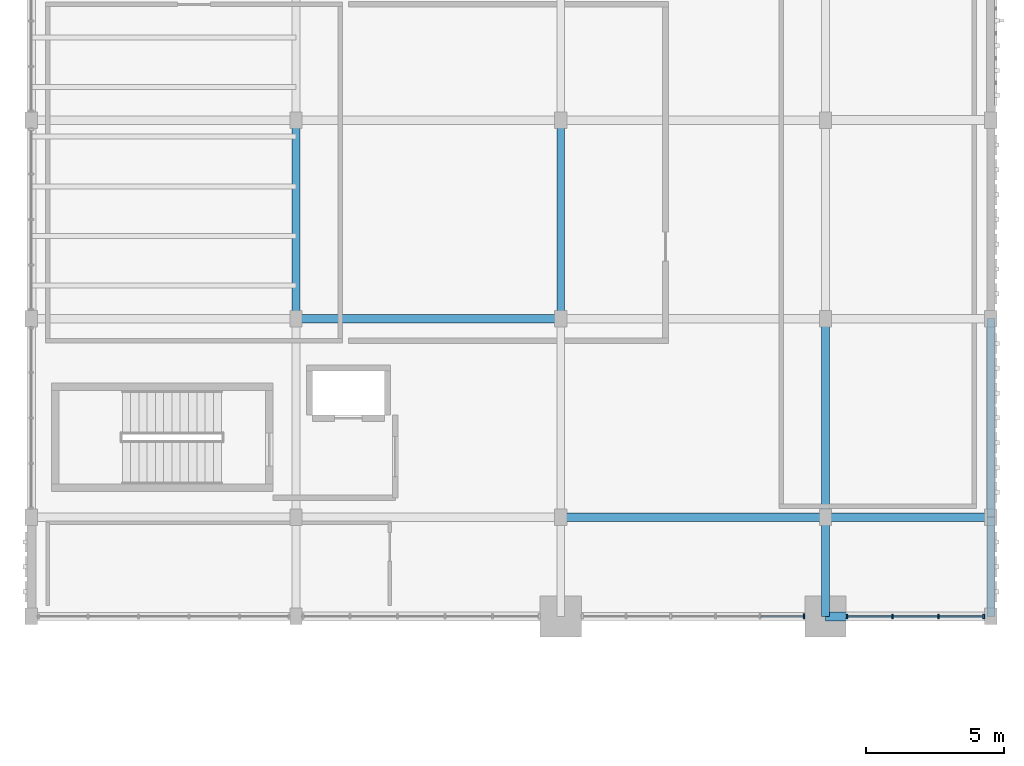
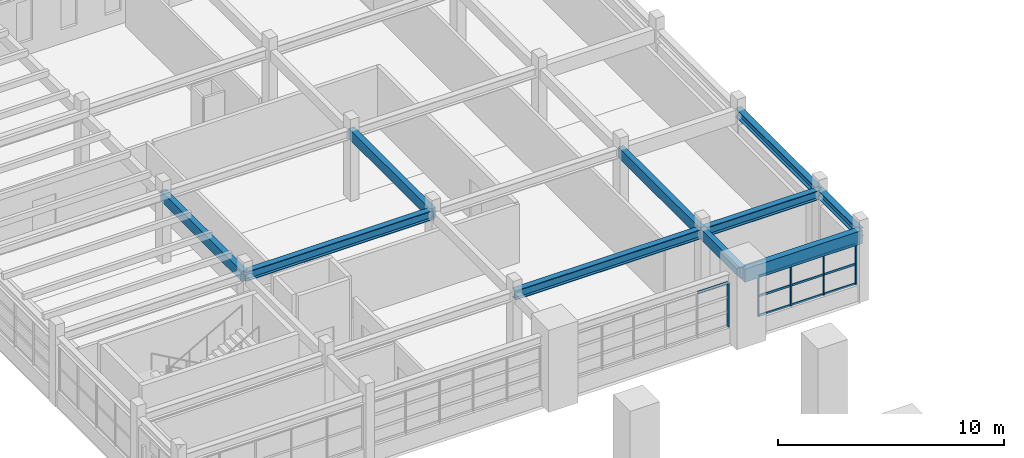
# One storey, part 30 of 69: 15 members, 10 beams, 2 elements without a shape of their own.
"""IFC4 building model written with IfcOpenShell, lengths in metres."""

from ifc_helpers import new_model, si_unit, direction, frame, origin, origin_2d, place, context, subcontext, project, spatial, rectangle, i_section, extrude, material, material_profile, profile_set, type_object, element, aggregate, save


model = new_model("IFC4")

# Units and contexts
model_context = context("Model", 3, precision=1e-05, world=origin(), true_north=direction((0.0, 1.0)))
body_context = subcontext(model_context, "Body", "Model", "MODEL_VIEW")
ifc_project = project(units=[si_unit("LENGTHUNIT", "METRE"), si_unit("AREAUNIT", "SQUARE_METRE"), si_unit("VOLUMEUNIT", "CUBIC_METRE"), si_unit("PLANEANGLEUNIT", "RADIAN"), si_unit("MASSUNIT", "GRAM", prefix="KILO")], contexts=[model_context])

# Site, building, storey
site_placement = place(None, origin())
site = spatial("IfcSite", under=ifc_project, at=site_placement, CompositionType="ELEMENT")
building_placement = place(site_placement, origin())
building = spatial("IfcBuilding", under=site, at=building_placement, Name="Nzembalo Square Collegiate School", CompositionType="ELEMENT")
storey_placement = place(building_placement, frame((0.0, 0.0, 5.10009765625)))
storey = spatial("IfcBuildingStorey", under=building, at=storey_placement, Name="L01", CompositionType="ELEMENT", Elevation=5.10009765625)

# Beams
ifc_material_1 = material(Name="Glulam GL32h", Category="wood")
ifc_material_profile_1 = material_profile(ifc_material_1, rectangle(XDim=0.320068359375, YDim=0.719970703125, at=origin_2d()), Name="GL32h 320x720")
ifc_profile_set_1 = profile_set([ifc_material_profile_1], Name="Glulam GL32h")
beam_type_1 = type_object("IfcBeamType", Name="B03", PredefinedType="BEAM", material=ifc_profile_set_1)
beam_1_placement = place(storey_placement, frame((159.60009765625, 79.199951171875, 3.389892578125), z_axis=(1.0, 0.0, 0.0), x_axis=(0.0, 1.0, 0.0)))
element("IfcBeam", 1, at=beam_1_placement, inside=storey, type_object=beam_type_1, Name="Beam B03 L01", PredefinedType="BEAM", context=body_context, shape_type="SweptSolid", body=[
    extrude(rectangle(XDim=0.320068359375, YDim=0.719970703125, at=origin_2d()), origin(), (0.0, 0.0, 1.0), 6.0),
])
ifc_material_2 = material(Name="Glulam GL28h", Category="wood")
ifc_material_profile_2 = material_profile(ifc_material_2, rectangle(XDim=0.280029296875, YDim=0.56005859375, at=origin_2d()), Name="GL28h 280x560")
ifc_profile_set_2 = profile_set([ifc_material_profile_2], Name="Glulam GL28h")
beam_type_2 = type_object("IfcBeamType", Name="B05", PredefinedType="BEAM", material=ifc_profile_set_2)
for number, where, z_axis, x_axis, name in (
    (2, (140.39990234375, 90.0, 3.469970703125), (0.0, 1.0, 0.0), (-1.0, 0.0, 0.0), "Beam B05 L01"),
    (3, (150.0, 90.0, 3.469970703125), (0.0, 1.0, 0.0), (-1.0, 0.0, 0.0), "Beam B05 L01"),
):
    element("IfcBeam", number, at=place(storey_placement, frame(where, z_axis=z_axis, x_axis=x_axis)), inside=storey, type_object=beam_type_2, Name=name, PredefinedType="BEAM", context=body_context, shape_type="SweptSolid", body=[
        extrude(rectangle(XDim=0.280029296875, YDim=0.56005859375, at=origin_2d()), origin(), (0.0, 0.0, 1.0), 7.199951171875),
    ])
beam_2_placement = place(storey_placement, frame((159.60009765625, 79.199951171875, 3.469970703125), z_axis=(0.0, 1.0, 0.0), x_axis=(-1.0, 0.0, 0.0)))
element("IfcBeam", 4, at=beam_2_placement, inside=storey, type_object=beam_type_2, Name="Beam B05 L01", PredefinedType="BEAM", context=body_context, shape_type="SweptSolid", body=[
    extrude(rectangle(XDim=0.280029296875, YDim=0.56005859375, at=origin_2d()), origin(), (0.0, 0.0, 1.0), 3.60009765625),
])
beam_3_placement = place(storey_placement, frame((159.60009765625, 82.800048828125, 3.469970703125), z_axis=(0.0, 1.0, 0.0), x_axis=(-1.0, 0.0, 0.0)))
element("IfcBeam", 5, at=beam_3_placement, inside=storey, type_object=beam_type_2, Name="Beam B05 L01", PredefinedType="BEAM", context=body_context, shape_type="SweptSolid", body=[
    extrude(rectangle(XDim=0.280029296875, YDim=0.56005859375, at=origin_2d()), origin(), (0.0, 0.0, 1.0), 7.199951171875),
])
ifc_material_3 = material(Name="Steel S355", Category="steel")
ifc_material_profile_3 = material_profile(ifc_material_3, i_section(OverallWidth=0.300048828125, OverallDepth=0.5, WebThickness=0.014404296875, FlangeThickness=0.028076171875, at=origin_2d()), Name="HEB 500")
ifc_profile_set_3 = profile_set([ifc_material_profile_3], Name="Steel S355")
beam_type_3 = type_object("IfcBeamType", Name="B07", PredefinedType="BEAM", material=ifc_profile_set_3)
beam_4_placement = place(storey_placement, frame((150.0, 82.800048828125, 3.5), z_axis=(1.0, 0.0, 0.0), x_axis=(0.0, 1.0, 0.0)))
element("IfcBeam", 6, at=beam_4_placement, inside=storey, type_object=beam_type_3, Name="Beam B07 L01", PredefinedType="BEAM", context=body_context, shape_type="SweptSolid", body=[
    extrude(i_section(OverallWidth=0.300048828125, OverallDepth=0.5, WebThickness=0.014404296875, FlangeThickness=0.028076171875, at=origin_2d()), origin(), (0.0, 0.0, 1.0), 9.60009765625),
])
beam_5_placement = place(storey_placement, frame((159.60009765625, 82.800048828125, 3.5), z_axis=(1.0, 0.0, 0.0), x_axis=(0.0, 1.0, 0.0)))
element("IfcBeam", 7, at=beam_5_placement, inside=storey, type_object=beam_type_3, Name="Beam B07 L01", PredefinedType="BEAM", context=body_context, shape_type="SweptSolid", body=[
    extrude(i_section(OverallWidth=0.300048828125, OverallDepth=0.5, WebThickness=0.014404296875, FlangeThickness=0.028076171875, at=origin_2d()), origin(), (0.0, 0.0, 1.0), 6.0),
])
beam_6_placement = place(storey_placement, frame((140.39990234375, 90.0, 3.5), z_axis=(1.0, 0.0, 0.0), x_axis=(0.0, 1.0, 0.0)))
element("IfcBeam", 8, at=beam_6_placement, inside=storey, type_object=beam_type_3, Name="Beam B07 L01", PredefinedType="BEAM", context=body_context, shape_type="SweptSolid", body=[
    extrude(i_section(OverallWidth=0.300048828125, OverallDepth=0.5, WebThickness=0.014404296875, FlangeThickness=0.028076171875, at=origin_2d()), origin(), (0.0, 0.0, 1.0), 9.60009765625),
])
ifc_material_4 = material(Name="Steel S355", Category="steel")
ifc_material_profile_4 = material_profile(ifc_material_4, i_section(OverallWidth=0.300048828125, OverallDepth=0.449951171875, WebThickness=0.013916015625, FlangeThickness=0.02587890625, at=origin_2d()), Name="HEB 450")
ifc_profile_set_4 = profile_set([ifc_material_profile_4], Name="Steel S355")
beam_type_4 = type_object("IfcBeamType", Name="B08", PredefinedType="BEAM", material=ifc_profile_set_4)
beam_7_placement = place(storey_placement, frame((165.60009765625, 79.199951171875, 3.52490234375), z_axis=(0.0, 1.0, 0.0), x_axis=(-1.0, 0.0, 0.0)))
element("IfcBeam", 9, at=beam_7_placement, inside=storey, type_object=beam_type_4, Name="Beam B08 L01", PredefinedType="BEAM", context=body_context, shape_type="SweptSolid", body=[
    extrude(i_section(OverallWidth=0.300048828125, OverallDepth=0.449951171875, WebThickness=0.013916015625, FlangeThickness=0.02587890625, at=origin_2d()), origin(), (0.0, 0.0, 1.0), 3.60009765625),
])
beam_8_placement = place(storey_placement, frame((165.60009765625, 82.800048828125, 3.52490234375), z_axis=(0.0, 1.0, 0.0), x_axis=(-1.0, 0.0, 0.0)))
element("IfcBeam", 10, at=beam_8_placement, inside=storey, type_object=beam_type_4, Name="Beam B08 L01", PredefinedType="BEAM", context=body_context, shape_type="SweptSolid", body=[
    extrude(i_section(OverallWidth=0.300048828125, OverallDepth=0.449951171875, WebThickness=0.013916015625, FlangeThickness=0.02587890625, at=origin_2d()), origin(), (0.0, 0.0, 1.0), 7.199951171875),
])

# Curtain wall, member
ifc_material_5 = material(Name="Aluminium 6060-T66", Category="aluminium")
curtain_wall_type_1 = type_object("IfcCurtainWallType", Name="CW-10", PredefinedType="USERDEFINED", material=ifc_material_5)
curtain_wall_1_placement = place(storey_placement, origin())
curtain_wall_1 = element("IfcCurtainWall", 11, at=curtain_wall_1_placement, inside=storey, type_object=curtain_wall_type_1, Name="Curtain wall CW-10 cw:L01:069", ObjectType="UNITISED", PredefinedType="USERDEFINED")
ifc_material_6 = material(Name="Aluminium 6060-T66", Category="aluminium")
ifc_material_profile_5 = material_profile(ifc_material_6, rectangle(XDim=0.06005859375, YDim=0.179931640625, at=origin_2d()), Name="ALU M60x180")
ifc_profile_set_5 = profile_set([ifc_material_profile_5], Name="Aluminium 6060-T66")
member_type_1 = type_object("IfcMemberType", Name="ML01", PredefinedType="MULLION", material=ifc_profile_set_5)
member_1_placement = place(storey_placement, frame((158.818115234375, 79.199951171875, 0.849853515625), z_axis=(0.0, 0.0, 1.0), x_axis=(1.0, 0.0, 0.0)))
member_1 = element("IfcMember", 12, at=member_1_placement, type_object=member_type_1, Name="ML01 mullion 6", PredefinedType="MULLION", context=body_context, shape_type="SweptSolid", body=[
    extrude(rectangle(XDim=0.06005859375, YDim=0.179931640625, at=origin_2d()), origin(), (0.0, 0.0, 1.0), 2.39404296875),
])

# Curtain wall, members
ifc_material_7 = material(Name="Aluminium 6060-T66", Category="aluminium")
curtain_wall_type_2 = type_object("IfcCurtainWallType", Name="CW-15", PredefinedType="USERDEFINED", material=ifc_material_7)
curtain_wall_2_placement = place(storey_placement, origin())
curtain_wall_2 = element("IfcCurtainWall", 13, at=curtain_wall_2_placement, inside=storey, type_object=curtain_wall_type_2, Name="Curtain wall CW-15 cw:L01:070", ObjectType="LANCET", PredefinedType="USERDEFINED")
ifc_material_8 = material(Name="Aluminium 6060-T66", Category="aluminium")
ifc_material_profile_6 = material_profile(ifc_material_8, rectangle(XDim=0.06005859375, YDim=0.14990234375, at=origin_2d()), Name="ALU M60x150")
ifc_profile_set_6 = profile_set([ifc_material_profile_6], Name="Aluminium 6060-T66")
member_type_2 = type_object("IfcMemberType", Name="ML02", PredefinedType="MULLION", material=ifc_profile_set_6)
member_2_placement = place(storey_placement, frame((160.382080078125, 79.199951171875, 0.849853515625), z_axis=(0.0, 0.0, 1.0), x_axis=(1.0, 0.0, 0.0)))
member_2 = element("IfcMember", 14, at=member_2_placement, type_object=member_type_2, Name="ML02 mullion 1", PredefinedType="MULLION", context=body_context, shape_type="SweptSolid", body=[
    extrude(rectangle(XDim=0.06005859375, YDim=0.14990234375, at=origin_2d()), origin(), (0.0, 0.0, 1.0), 2.174072265625),
])
member_3_placement = place(storey_placement, frame((162.025634765625, 79.199951171875, 0.849853515625), z_axis=(0.0, 0.0, 1.0), x_axis=(1.0, 0.0, 0.0)))
member_3 = element("IfcMember", 15, at=member_3_placement, type_object=member_type_2, Name="ML02 mullion 2", PredefinedType="MULLION", context=body_context, shape_type="SweptSolid", body=[
    extrude(rectangle(XDim=0.06005859375, YDim=0.14990234375, at=origin_2d()), origin(), (0.0, 0.0, 1.0), 2.174072265625),
])
member_4_placement = place(storey_placement, frame((163.69921875, 79.199951171875, 0.849853515625), z_axis=(0.0, 0.0, 1.0), x_axis=(1.0, 0.0, 0.0)))
member_4 = element("IfcMember", 16, at=member_4_placement, type_object=member_type_2, Name="ML02 mullion 3", PredefinedType="MULLION", context=body_context, shape_type="SweptSolid", body=[
    extrude(rectangle(XDim=0.06005859375, YDim=0.14990234375, at=origin_2d()), origin(), (0.0, 0.0, 1.0), 2.174072265625),
])
member_5_placement = place(storey_placement, frame((165.343017578125, 79.199951171875, 0.849853515625), z_axis=(0.0, 0.0, 1.0), x_axis=(1.0, 0.0, 0.0)))
member_5 = element("IfcMember", 17, at=member_5_placement, type_object=member_type_2, Name="ML02 mullion 4", PredefinedType="MULLION", context=body_context, shape_type="SweptSolid", body=[
    extrude(rectangle(XDim=0.06005859375, YDim=0.14990234375, at=origin_2d()), origin(), (0.0, 0.0, 1.0), 2.174072265625),
])

# Member
ifc_material_9 = material(Name="Aluminium 6060-T66", Category="aluminium")
ifc_material_profile_7 = material_profile(ifc_material_9, rectangle(XDim=0.06005859375, YDim=0.139892578125, at=origin_2d()), Name="ALU T60x140")
ifc_profile_set_7 = profile_set([ifc_material_profile_7], Name="Aluminium 6060-T66")
member_type_3 = type_object("IfcMemberType", Name="TR01", PredefinedType="USERDEFINED", material=ifc_profile_set_7)
member_6_placement = place(storey_placement, frame((157.2587890625, 79.199951171875, 3.2138671875), z_axis=(1.0, 0.0, 0.0), x_axis=(0.0, 1.0, 0.0)))
member_6 = element("IfcMember", 18, at=member_6_placement, type_object=member_type_3, Name="TR01 transom 4-5", ObjectType="TRANSOM", PredefinedType="USERDEFINED", context=body_context, shape_type="SweptSolid", body=[
    extrude(rectangle(XDim=0.06005859375, YDim=0.139892578125, at=origin_2d()), origin(), (0.0, 0.0, 1.0), 1.529296875),
])

aggregate(curtain_wall_1, [member_1, member_6])

ifc_material_10 = material(Name="Aluminium 6060-T66", Category="aluminium")
ifc_material_profile_8 = material_profile(ifc_material_10, rectangle(XDim=0.06005859375, YDim=0.110107421875, at=origin_2d()), Name="ALU T60x110")
ifc_profile_set_8 = profile_set([ifc_material_profile_8], Name="Aluminium 6060-T66")
member_type_4 = type_object("IfcMemberType", Name="TR02", PredefinedType="USERDEFINED", material=ifc_profile_set_8)
member_7_placement = place(storey_placement, frame((160.412109375, 79.199951171875, 0.8798828125), z_axis=(1.0, 0.0, 0.0), x_axis=(0.0, 1.0, 0.0)))
member_7 = element("IfcMember", 19, at=member_7_placement, type_object=member_type_4, Name="TR02 transom 1-1", ObjectType="TRANSOM", PredefinedType="USERDEFINED", context=body_context, shape_type="SweptSolid", body=[
    extrude(rectangle(XDim=0.06005859375, YDim=0.110107421875, at=origin_2d()), origin(), (0.0, 0.0, 1.0), 1.58349609375),
])

member_8_placement = place(storey_placement, frame((162.0556640625, 79.199951171875, 0.8798828125), z_axis=(1.0, 0.0, 0.0), x_axis=(0.0, 1.0, 0.0)))
member_8 = element("IfcMember", 20, at=member_8_placement, type_object=member_type_4, Name="TR02 transom 1-2", ObjectType="TRANSOM", PredefinedType="USERDEFINED", context=body_context, shape_type="SweptSolid", body=[
    extrude(rectangle(XDim=0.06005859375, YDim=0.110107421875, at=origin_2d()), origin(), (0.0, 0.0, 1.0), 1.61376953125),
])

member_9_placement = place(storey_placement, frame((163.729248046875, 79.199951171875, 0.8798828125), z_axis=(1.0, 0.0, 0.0), x_axis=(0.0, 1.0, 0.0)))
member_9 = element("IfcMember", 21, at=member_9_placement, type_object=member_type_4, Name="TR02 transom 1-3", ObjectType="TRANSOM", PredefinedType="USERDEFINED", context=body_context, shape_type="SweptSolid", body=[
    extrude(rectangle(XDim=0.06005859375, YDim=0.110107421875, at=origin_2d()), origin(), (0.0, 0.0, 1.0), 1.583740234375),
])

member_10_placement = place(storey_placement, frame((160.412109375, 79.199951171875, 1.93701171875), z_axis=(1.0, 0.0, 0.0), x_axis=(0.0, 1.0, 0.0)))
member_10 = element("IfcMember", 22, at=member_10_placement, type_object=member_type_4, Name="TR02 transom 2-1", ObjectType="TRANSOM", PredefinedType="USERDEFINED", context=body_context, shape_type="SweptSolid", body=[
    extrude(rectangle(XDim=0.06005859375, YDim=0.110107421875, at=origin_2d()), origin(), (0.0, 0.0, 1.0), 1.58349609375),
])

member_11_placement = place(storey_placement, frame((162.0556640625, 79.199951171875, 1.93701171875), z_axis=(1.0, 0.0, 0.0), x_axis=(0.0, 1.0, 0.0)))
member_11 = element("IfcMember", 23, at=member_11_placement, type_object=member_type_4, Name="TR02 transom 2-2", ObjectType="TRANSOM", PredefinedType="USERDEFINED", context=body_context, shape_type="SweptSolid", body=[
    extrude(rectangle(XDim=0.06005859375, YDim=0.110107421875, at=origin_2d()), origin(), (0.0, 0.0, 1.0), 1.61376953125),
])

member_12_placement = place(storey_placement, frame((163.729248046875, 79.199951171875, 1.93701171875), z_axis=(1.0, 0.0, 0.0), x_axis=(0.0, 1.0, 0.0)))
member_12 = element("IfcMember", 24, at=member_12_placement, type_object=member_type_4, Name="TR02 transom 2-3", ObjectType="TRANSOM", PredefinedType="USERDEFINED", context=body_context, shape_type="SweptSolid", body=[
    extrude(rectangle(XDim=0.06005859375, YDim=0.110107421875, at=origin_2d()), origin(), (0.0, 0.0, 1.0), 1.583740234375),
])

member_13_placement = place(storey_placement, frame((160.412109375, 79.199951171875, 2.993896484375), z_axis=(1.0, 0.0, 0.0), x_axis=(0.0, 1.0, 0.0)))
member_13 = element("IfcMember", 25, at=member_13_placement, type_object=member_type_4, Name="TR02 transom 3-1", ObjectType="TRANSOM", PredefinedType="USERDEFINED", context=body_context, shape_type="SweptSolid", body=[
    extrude(rectangle(XDim=0.06005859375, YDim=0.110107421875, at=origin_2d()), origin(), (0.0, 0.0, 1.0), 1.58349609375),
])

member_14_placement = place(storey_placement, frame((162.0556640625, 79.199951171875, 2.993896484375), z_axis=(1.0, 0.0, 0.0), x_axis=(0.0, 1.0, 0.0)))
member_14 = element("IfcMember", 26, at=member_14_placement, type_object=member_type_4, Name="TR02 transom 3-2", ObjectType="TRANSOM", PredefinedType="USERDEFINED", context=body_context, shape_type="SweptSolid", body=[
    extrude(rectangle(XDim=0.06005859375, YDim=0.110107421875, at=origin_2d()), origin(), (0.0, 0.0, 1.0), 1.61376953125),
])

member_15_placement = place(storey_placement, frame((163.729248046875, 79.199951171875, 2.993896484375), z_axis=(1.0, 0.0, 0.0), x_axis=(0.0, 1.0, 0.0)))
member_15 = element("IfcMember", 27, at=member_15_placement, type_object=member_type_4, Name="TR02 transom 3-3", ObjectType="TRANSOM", PredefinedType="USERDEFINED", context=body_context, shape_type="SweptSolid", body=[
    extrude(rectangle(XDim=0.06005859375, YDim=0.110107421875, at=origin_2d()), origin(), (0.0, 0.0, 1.0), 1.583740234375),
])

aggregate(curtain_wall_2, [member_2, member_3, member_4, member_5, member_7, member_8, member_9, member_10, member_11, member_12, member_13, member_14, member_15])

save(model, "model.ifc")
